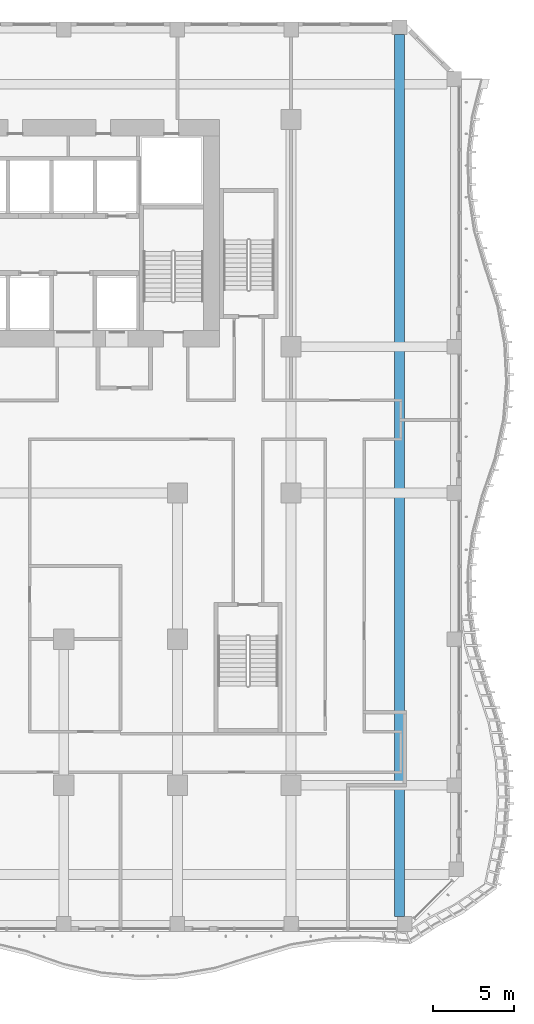
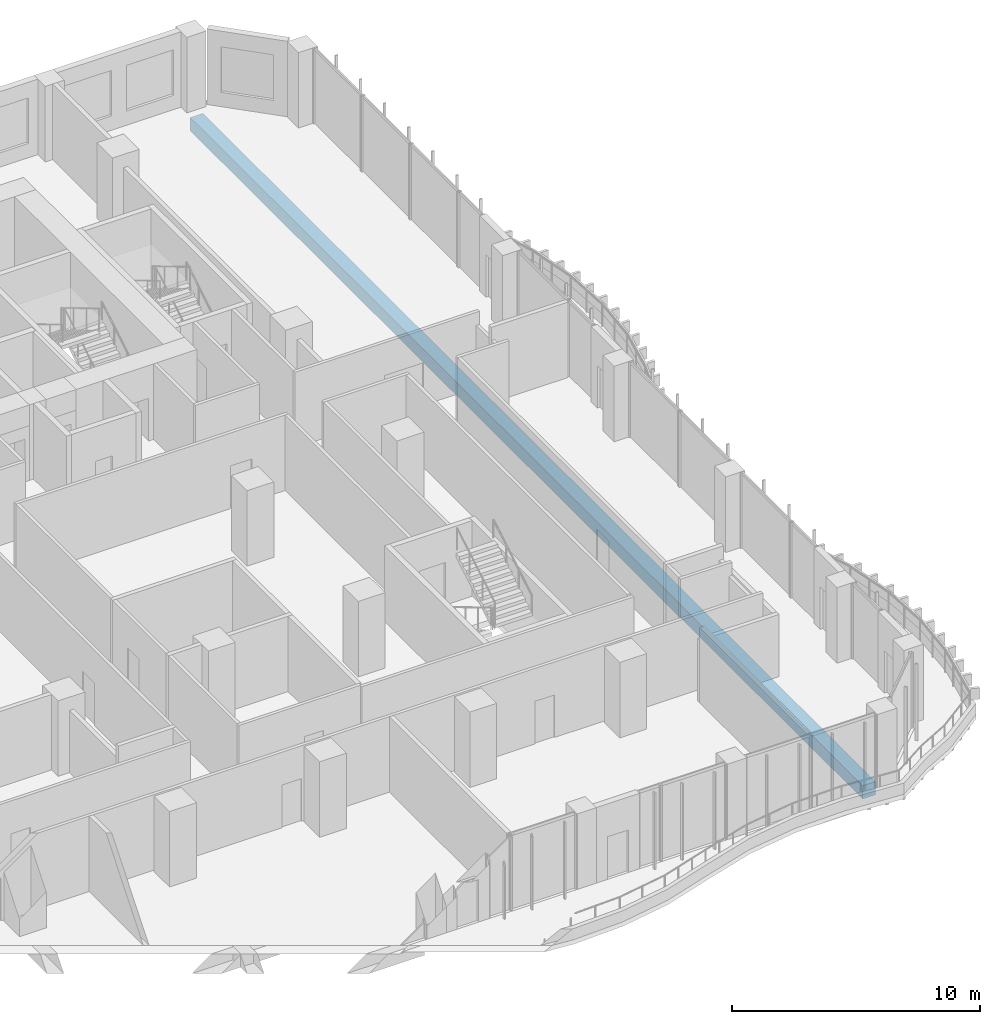
# One storey, part 8 of 28: 1 beam.
"""IFC4 building model written with IfcOpenShell, lengths in metres."""

from ifc_helpers import new_model, si_unit, direction, frame, origin, origin_2d, place, context, subcontext, project, spatial, rectangle, extrude, source, transform, mapped, material, material_profile, profile_set, type_object, element, save


model = new_model("IFC4")

# Units and contexts
model_context = context("Model", 3, precision=1e-05, world=origin(), true_north=direction((0.0, 1.0)))
body_context = subcontext(model_context, "Body", "Model", "MODEL_VIEW")
ifc_project = project(units=[si_unit("LENGTHUNIT", "METRE"), si_unit("AREAUNIT", "SQUARE_METRE"), si_unit("VOLUMEUNIT", "CUBIC_METRE"), si_unit("PLANEANGLEUNIT", "RADIAN"), si_unit("MASSUNIT", "GRAM", prefix="KILO")], contexts=[model_context])

# Site, building, storey
site_placement = place(None, origin())
site = spatial("IfcSite", under=ifc_project, at=site_placement, CompositionType="ELEMENT")
building_placement = place(site_placement, origin())
building = spatial("IfcBuilding", under=site, at=building_placement, Name="Kilnfold Tower and Market Hall", CompositionType="ELEMENT")
storey_placement = place(building_placement, frame((0.0, 0.0, 75.199951171875)))
storey = spatial("IfcBuildingStorey", under=building, at=storey_placement, Name="L17", CompositionType="ELEMENT", Elevation=75.199951171875)

# Beam
ifc_material = material(Name="Concrete C45", Category="concrete")
ifc_material_profile = material_profile(ifc_material, rectangle(XDim=0.60009765625, YDim=0.64990234375, at=origin_2d()), Name="RC 600x650")
ifc_profile_set = profile_set([ifc_material_profile], Name="Concrete C45")
beam_type = type_object("IfcBeamType", Name="BEAM 600X650 C45", PredefinedType="BEAM", material=ifc_profile_set)
shared_shape = source(origin(), body_context, "Body", "SweptSolid", [
    extrude(rectangle(XDim=0.60009765625, YDim=0.64990234375, at=origin_2d()), origin(), (0.0, 0.0, 1.0), 54.331787109375),
])
beam_placement = place(storey_placement, frame((29.179931640625, -27.10009765625, -0.60498046875), z_axis=(0.0, 1.0, 0.0), x_axis=(-1.0, 0.0, 0.0)))
element("IfcBeam", 1, at=beam_placement, inside=storey, type_object=beam_type, Name="Beam BB650-B2.98", PredefinedType="BEAM", context=body_context, shape_type="MappedRepresentation", body=[
    mapped(shared_shape, transform((0.0, 0.0, 0.0))),
])

save(model, "model.ifc")
